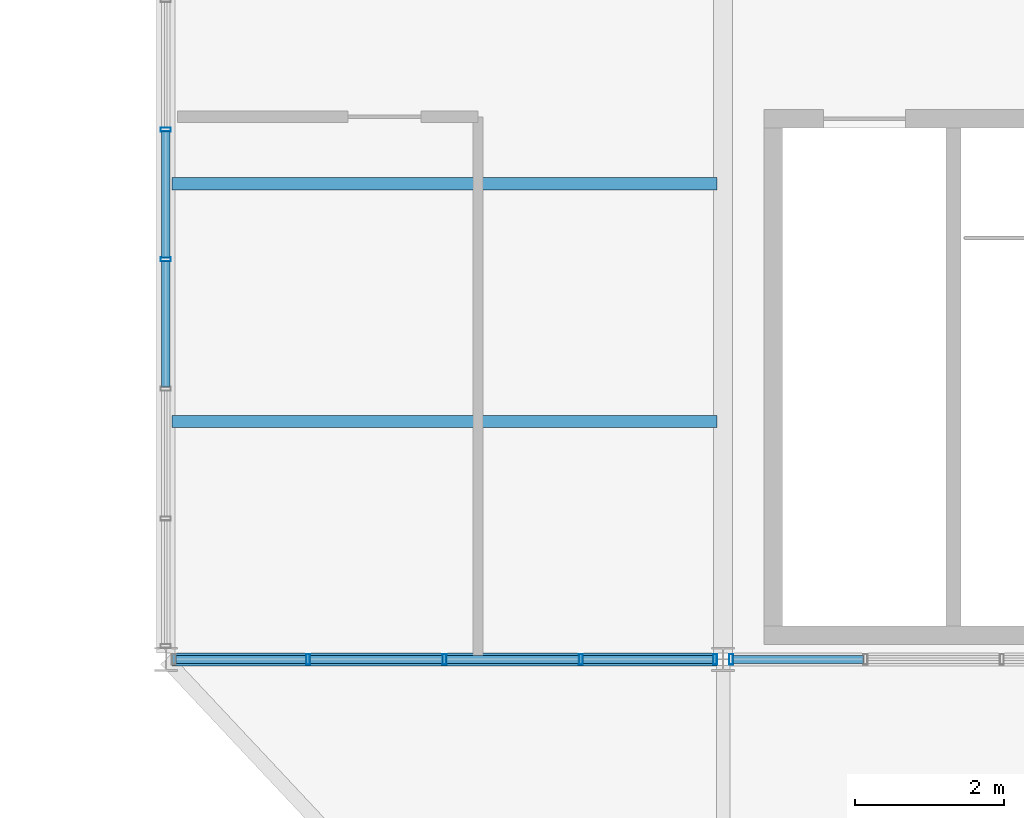
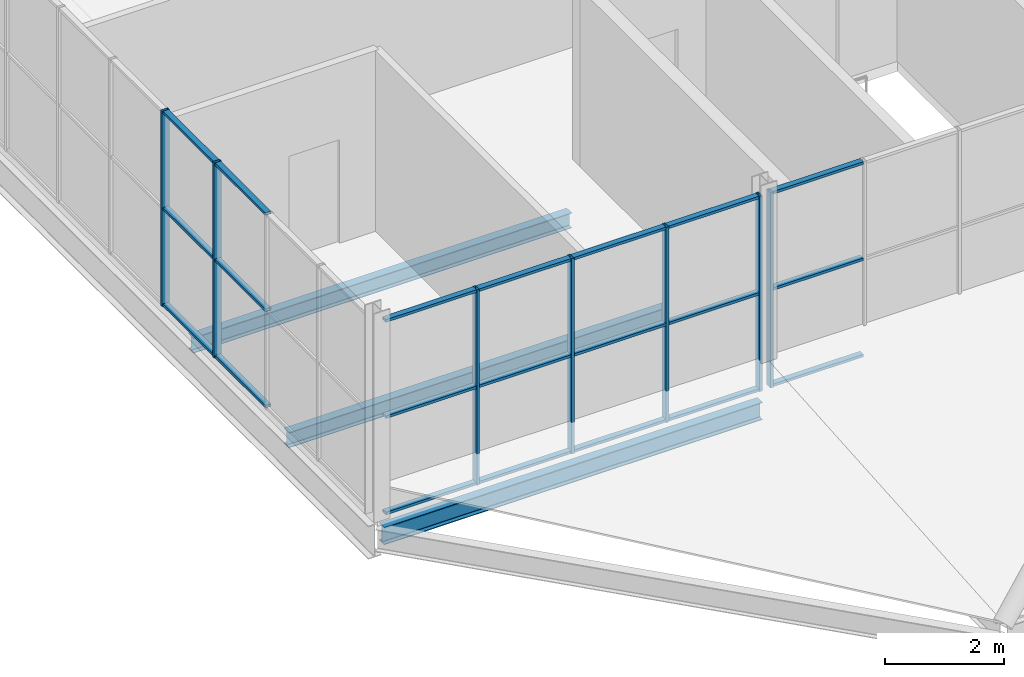
# One storey, part 171 of 324: 28 members, 3 beams, 3 elements without a shape of their own.
"""IFC4 building model written with IfcOpenShell, lengths in metres."""

from ifc_helpers import new_model, si_unit, direction, frame, origin, origin_2d, place, context, subcontext, project, spatial, hollow_rectangle, i_section, extrude, material, layer, layer_set, material_profile, profile_set, type_object, element, aggregate, save


model = new_model("IFC4")

# Units and contexts
model_context = context("Model", 3, precision=1e-05, world=origin(), true_north=direction((0.0, 1.0)))
body_context = subcontext(model_context, "Body", "Model", "MODEL_VIEW")
ifc_project = project(units=[si_unit("LENGTHUNIT", "METRE"), si_unit("AREAUNIT", "SQUARE_METRE"), si_unit("VOLUMEUNIT", "CUBIC_METRE"), si_unit("PLANEANGLEUNIT", "RADIAN"), si_unit("MASSUNIT", "GRAM", prefix="KILO")], contexts=[model_context])

# Site, building, storey
site_placement = place(None, origin())
site = spatial("IfcSite", under=ifc_project, at=site_placement, CompositionType="ELEMENT")
building_placement = place(site_placement, origin())
building = spatial("IfcBuilding", under=site, at=building_placement, Name="Solvenia Promenade Tram Depot", CompositionType="ELEMENT")
storey_placement = place(building_placement, frame((0.0, 0.0, 4.5)))
storey = spatial("IfcBuildingStorey", under=building, at=storey_placement, Name="L01", CompositionType="ELEMENT", Elevation=4.5)

# Curtain wall, members
ifc_material_1 = material(Name="Anodized aluminium AW-6063 T6", Category="aluminium")
ifc_layer = layer(ifc_material_1, 0.179931640625, Name="Anodized aluminium AW-6063 T6", Category="aluminium")
ifc_layer_set = layer_set([ifc_layer], Name="Anodized aluminium AW-6063 T6")
curtain_wall_type = type_object("IfcCurtainWallType", Name="CW-Prom-1800", PredefinedType="NOTDEFINED", material=ifc_layer_set)
curtain_wall_1_placement = place(storey_placement, origin())
curtain_wall_1 = element("IfcCurtainWall", 1, at=curtain_wall_1_placement, inside=storey, type_object=curtain_wall_type, Name="Curtain Wall CW-V5S-L1-01", PredefinedType="NOTDEFINED")
ifc_material_profile_1 = material_profile(ifc_material_1, hollow_rectangle(XDim=0.139892578125, YDim=0.054931640625, WallThickness=0.00390625, at=origin_2d()), Name="ALU-M4", Category="aluminium")
ifc_profile_set_1 = profile_set([ifc_material_profile_1], Name="Anodized aluminium AW-6063 T6")
member_type_1 = type_object("IfcMemberType", Name="CWM-Mullion-4", PredefinedType="MULLION", material=ifc_profile_set_1)
member_1_placement = place(storey_placement, frame((136.9150390625, 8.0, 0.0), z_axis=(0.0, 0.0, 1.0), x_axis=(0.0, 1.0, 0.0)))
member_1 = element("IfcMember", 2, at=member_1_placement, type_object=member_type_1, Name="CW-9 mullion 2", PredefinedType="MULLION", context=body_context, shape_type="SweptSolid", body=[
    extrude(hollow_rectangle(XDim=0.139892578125, YDim=0.054931640625, WallThickness=0.00390625, at=origin_2d()), origin(), (0.0, 0.0, 1.0), 4.0),
])
member_2_placement = place(storey_placement, frame((138.75, 8.0, 0.0), z_axis=(0.0, 0.0, 1.0), x_axis=(0.0, 1.0, 0.0)))
member_2 = element("IfcMember", 3, at=member_2_placement, type_object=member_type_1, Name="CW-9 mullion 3", PredefinedType="MULLION", context=body_context, shape_type="SweptSolid", body=[
    extrude(hollow_rectangle(XDim=0.139892578125, YDim=0.054931640625, WallThickness=0.00390625, at=origin_2d()), origin(), (0.0, 0.0, 1.0), 4.0),
])
member_3_placement = place(storey_placement, frame((140.5849609375, 8.0, 0.0), z_axis=(0.0, 0.0, 1.0), x_axis=(0.0, 1.0, 0.0)))
member_3 = element("IfcMember", 4, at=member_3_placement, type_object=member_type_1, Name="CW-9 mullion 4", PredefinedType="MULLION", context=body_context, shape_type="SweptSolid", body=[
    extrude(hollow_rectangle(XDim=0.139892578125, YDim=0.054931640625, WallThickness=0.00390625, at=origin_2d()), origin(), (0.0, 0.0, 1.0), 4.0),
])
member_4_placement = place(storey_placement, frame((142.392578125, 8.0, 0.0), z_axis=(0.0, 0.0, 1.0), x_axis=(0.0, 1.0, 0.0)))
member_4 = element("IfcMember", 5, at=member_4_placement, type_object=member_type_1, Name="CW-9 mullion 5", PredefinedType="MULLION", context=body_context, shape_type="SweptSolid", body=[
    extrude(hollow_rectangle(XDim=0.139892578125, YDim=0.054931640625, WallThickness=0.00390625, at=origin_2d()), origin(), (0.0, 0.0, 1.0), 4.0),
])

# Curtain wall, member
curtain_wall_2_placement = place(storey_placement, origin())
curtain_wall_2 = element("IfcCurtainWall", 6, at=curtain_wall_2_placement, inside=storey, type_object=curtain_wall_type, Name="Curtain Wall CW-V5S-L1-02", PredefinedType="NOTDEFINED")
member_5_placement = place(storey_placement, frame((142.607421875, 8.0, 0.0), z_axis=(0.0, 0.0, 1.0), x_axis=(0.0, 1.0, 0.0)))
member_5 = element("IfcMember", 7, at=member_5_placement, type_object=member_type_1, Name="CW-9 mullion 1", PredefinedType="MULLION", context=body_context, shape_type="SweptSolid", body=[
    extrude(hollow_rectangle(XDim=0.139892578125, YDim=0.054931640625, WallThickness=0.00390625, at=origin_2d()), origin(), (0.0, 0.0, 1.0), 4.0),
])

# Curtain wall, members
curtain_wall_3_placement = place(storey_placement, origin())
curtain_wall_3 = element("IfcCurtainWall", 8, at=curtain_wall_3_placement, inside=storey, type_object=curtain_wall_type, Name="Curtain Wall CW-V5W-L01", PredefinedType="NOTDEFINED")
member_6_placement = place(storey_placement, frame((135.0, 13.38330078125, 0.0), z_axis=(0.0, 0.0, 1.0), x_axis=(-1.0, 0.0, 0.0)))
member_6 = element("IfcMember", 9, at=member_6_placement, type_object=member_type_1, Name="CW-9 mullion 4", PredefinedType="MULLION", context=body_context, shape_type="SweptSolid", body=[
    extrude(hollow_rectangle(XDim=0.139892578125, YDim=0.054931640625, WallThickness=0.00390625, at=origin_2d()), origin(), (0.0, 0.0, 1.0), 4.0),
])
member_7_placement = place(storey_placement, frame((135.0, 15.127685546875, 0.0), z_axis=(0.0, 0.0, 1.0), x_axis=(-1.0, 0.0, 0.0)))
member_7 = element("IfcMember", 10, at=member_7_placement, type_object=member_type_1, Name="CW-9 mullion 5", PredefinedType="MULLION", context=body_context, shape_type="SweptSolid", body=[
    extrude(hollow_rectangle(XDim=0.139892578125, YDim=0.054931640625, WallThickness=0.00390625, at=origin_2d()), origin(), (0.0, 0.0, 1.0), 4.0),
])

# Member
ifc_material_profile_2 = material_profile(ifc_material_1, hollow_rectangle(XDim=0.110107421875, YDim=0.054931640625, WallThickness=0.00390625, at=origin_2d()), Name="ALU-T4", Category="aluminium")
ifc_profile_set_2 = profile_set([ifc_material_profile_2], Name="Anodized aluminium AW-6063 T6")
member_type_2 = type_object("IfcMemberType", Name="CWT-Transom-4", PredefinedType="USERDEFINED", material=ifc_profile_set_2)
member_8_placement = place(storey_placement, frame((135.135009765625, 8.0, 0.027587890625), z_axis=(1.0, 0.0, 0.0), x_axis=(0.0, 1.0, 0.0)))
member_8 = element("IfcMember", 11, at=member_8_placement, type_object=member_type_2, Name="CW-9 transom 1.1", ObjectType="TRANSOM", PredefinedType="USERDEFINED", context=body_context, shape_type="SweptSolid", body=[
    extrude(hollow_rectangle(XDim=0.110107421875, YDim=0.054931640625, WallThickness=0.00390625, at=origin_2d()), origin(), (0.0, 0.0, 1.0), 1.75244140625),
])

member_9_placement = place(storey_placement, frame((135.135009765625, 8.0, 2.0), z_axis=(1.0, 0.0, 0.0), x_axis=(0.0, 1.0, 0.0)))
member_9 = element("IfcMember", 12, at=member_9_placement, type_object=member_type_2, Name="CW-9 transom 1.2", ObjectType="TRANSOM", PredefinedType="USERDEFINED", context=body_context, shape_type="SweptSolid", body=[
    extrude(hollow_rectangle(XDim=0.110107421875, YDim=0.054931640625, WallThickness=0.00390625, at=origin_2d()), origin(), (0.0, 0.0, 1.0), 1.75244140625),
])

member_10_placement = place(storey_placement, frame((135.135009765625, 8.0, 3.972412109375), z_axis=(1.0, 0.0, 0.0), x_axis=(0.0, 1.0, 0.0)))
member_10 = element("IfcMember", 13, at=member_10_placement, type_object=member_type_2, Name="CW-9 transom 1.3", ObjectType="TRANSOM", PredefinedType="USERDEFINED", context=body_context, shape_type="SweptSolid", body=[
    extrude(hollow_rectangle(XDim=0.110107421875, YDim=0.054931640625, WallThickness=0.00390625, at=origin_2d()), origin(), (0.0, 0.0, 1.0), 1.75244140625),
])

member_11_placement = place(storey_placement, frame((136.9423828125, 8.0, 0.027587890625), z_axis=(1.0, 0.0, 0.0), x_axis=(0.0, 1.0, 0.0)))
member_11 = element("IfcMember", 14, at=member_11_placement, type_object=member_type_2, Name="CW-9 transom 2.1", ObjectType="TRANSOM", PredefinedType="USERDEFINED", context=body_context, shape_type="SweptSolid", body=[
    extrude(hollow_rectangle(XDim=0.110107421875, YDim=0.054931640625, WallThickness=0.00390625, at=origin_2d()), origin(), (0.0, 0.0, 1.0), 1.780029296875),
])

member_12_placement = place(storey_placement, frame((136.9423828125, 8.0, 2.0), z_axis=(1.0, 0.0, 0.0), x_axis=(0.0, 1.0, 0.0)))
member_12 = element("IfcMember", 15, at=member_12_placement, type_object=member_type_2, Name="CW-9 transom 2.2", ObjectType="TRANSOM", PredefinedType="USERDEFINED", context=body_context, shape_type="SweptSolid", body=[
    extrude(hollow_rectangle(XDim=0.110107421875, YDim=0.054931640625, WallThickness=0.00390625, at=origin_2d()), origin(), (0.0, 0.0, 1.0), 1.780029296875),
])

member_13_placement = place(storey_placement, frame((136.9423828125, 8.0, 3.972412109375), z_axis=(1.0, 0.0, 0.0), x_axis=(0.0, 1.0, 0.0)))
member_13 = element("IfcMember", 16, at=member_13_placement, type_object=member_type_2, Name="CW-9 transom 2.3", ObjectType="TRANSOM", PredefinedType="USERDEFINED", context=body_context, shape_type="SweptSolid", body=[
    extrude(hollow_rectangle(XDim=0.110107421875, YDim=0.054931640625, WallThickness=0.00390625, at=origin_2d()), origin(), (0.0, 0.0, 1.0), 1.780029296875),
])

member_14_placement = place(storey_placement, frame((138.777587890625, 8.0, 0.027587890625), z_axis=(1.0, 0.0, 0.0), x_axis=(0.0, 1.0, 0.0)))
member_14 = element("IfcMember", 17, at=member_14_placement, type_object=member_type_2, Name="CW-9 transom 3.1", ObjectType="TRANSOM", PredefinedType="USERDEFINED", context=body_context, shape_type="SweptSolid", body=[
    extrude(hollow_rectangle(XDim=0.110107421875, YDim=0.054931640625, WallThickness=0.00390625, at=origin_2d()), origin(), (0.0, 0.0, 1.0), 1.780029296875),
])

member_15_placement = place(storey_placement, frame((138.777587890625, 8.0, 2.0), z_axis=(1.0, 0.0, 0.0), x_axis=(0.0, 1.0, 0.0)))
member_15 = element("IfcMember", 18, at=member_15_placement, type_object=member_type_2, Name="CW-9 transom 3.2", ObjectType="TRANSOM", PredefinedType="USERDEFINED", context=body_context, shape_type="SweptSolid", body=[
    extrude(hollow_rectangle(XDim=0.110107421875, YDim=0.054931640625, WallThickness=0.00390625, at=origin_2d()), origin(), (0.0, 0.0, 1.0), 1.780029296875),
])

member_16_placement = place(storey_placement, frame((138.777587890625, 8.0, 3.972412109375), z_axis=(1.0, 0.0, 0.0), x_axis=(0.0, 1.0, 0.0)))
member_16 = element("IfcMember", 19, at=member_16_placement, type_object=member_type_2, Name="CW-9 transom 3.3", ObjectType="TRANSOM", PredefinedType="USERDEFINED", context=body_context, shape_type="SweptSolid", body=[
    extrude(hollow_rectangle(XDim=0.110107421875, YDim=0.054931640625, WallThickness=0.00390625, at=origin_2d()), origin(), (0.0, 0.0, 1.0), 1.780029296875),
])

member_17_placement = place(storey_placement, frame((140.612548828125, 8.0, 0.027587890625), z_axis=(1.0, 0.0, 0.0), x_axis=(0.0, 1.0, 0.0)))
member_17 = element("IfcMember", 20, at=member_17_placement, type_object=member_type_2, Name="CW-9 transom 4.1", ObjectType="TRANSOM", PredefinedType="USERDEFINED", context=body_context, shape_type="SweptSolid", body=[
    extrude(hollow_rectangle(XDim=0.110107421875, YDim=0.054931640625, WallThickness=0.00390625, at=origin_2d()), origin(), (0.0, 0.0, 1.0), 1.75244140625),
])

member_18_placement = place(storey_placement, frame((140.612548828125, 8.0, 2.0), z_axis=(1.0, 0.0, 0.0), x_axis=(0.0, 1.0, 0.0)))
member_18 = element("IfcMember", 21, at=member_18_placement, type_object=member_type_2, Name="CW-9 transom 4.2", ObjectType="TRANSOM", PredefinedType="USERDEFINED", context=body_context, shape_type="SweptSolid", body=[
    extrude(hollow_rectangle(XDim=0.110107421875, YDim=0.054931640625, WallThickness=0.00390625, at=origin_2d()), origin(), (0.0, 0.0, 1.0), 1.75244140625),
])

member_19_placement = place(storey_placement, frame((140.612548828125, 8.0, 3.972412109375), z_axis=(1.0, 0.0, 0.0), x_axis=(0.0, 1.0, 0.0)))
member_19 = element("IfcMember", 22, at=member_19_placement, type_object=member_type_2, Name="CW-9 transom 4.3", ObjectType="TRANSOM", PredefinedType="USERDEFINED", context=body_context, shape_type="SweptSolid", body=[
    extrude(hollow_rectangle(XDim=0.110107421875, YDim=0.054931640625, WallThickness=0.00390625, at=origin_2d()), origin(), (0.0, 0.0, 1.0), 1.75244140625),
])

aggregate(curtain_wall_1, [member_1, member_2, member_3, member_4, member_8, member_9, member_10, member_11, member_12, member_13, member_14, member_15, member_16, member_17, member_18, member_19])

member_20_placement = place(storey_placement, frame((142.635009765625, 8.0, 0.027587890625), z_axis=(1.0, 0.0, 0.0), x_axis=(0.0, 1.0, 0.0)))
member_20 = element("IfcMember", 23, at=member_20_placement, type_object=member_type_2, Name="CW-9 transom 1.1", ObjectType="TRANSOM", PredefinedType="USERDEFINED", context=body_context, shape_type="SweptSolid", body=[
    extrude(hollow_rectangle(XDim=0.110107421875, YDim=0.054931640625, WallThickness=0.00390625, at=origin_2d()), origin(), (0.0, 0.0, 1.0), 1.75244140625),
])

member_21_placement = place(storey_placement, frame((142.635009765625, 8.0, 2.0), z_axis=(1.0, 0.0, 0.0), x_axis=(0.0, 1.0, 0.0)))
member_21 = element("IfcMember", 24, at=member_21_placement, type_object=member_type_2, Name="CW-9 transom 1.2", ObjectType="TRANSOM", PredefinedType="USERDEFINED", context=body_context, shape_type="SweptSolid", body=[
    extrude(hollow_rectangle(XDim=0.110107421875, YDim=0.054931640625, WallThickness=0.00390625, at=origin_2d()), origin(), (0.0, 0.0, 1.0), 1.75244140625),
])

member_22_placement = place(storey_placement, frame((142.635009765625, 8.0, 3.972412109375), z_axis=(1.0, 0.0, 0.0), x_axis=(0.0, 1.0, 0.0)))
member_22 = element("IfcMember", 25, at=member_22_placement, type_object=member_type_2, Name="CW-9 transom 1.3", ObjectType="TRANSOM", PredefinedType="USERDEFINED", context=body_context, shape_type="SweptSolid", body=[
    extrude(hollow_rectangle(XDim=0.110107421875, YDim=0.054931640625, WallThickness=0.00390625, at=origin_2d()), origin(), (0.0, 0.0, 1.0), 1.75244140625),
])

aggregate(curtain_wall_2, [member_5, member_20, member_21, member_22])

member_23_placement = place(storey_placement, frame((135.0, 11.66650390625, 0.027587890625), z_axis=(0.0, 1.0, 0.0), x_axis=(-1.0, 0.0, 0.0)))
member_23 = element("IfcMember", 26, at=member_23_placement, type_object=member_type_2, Name="CW-9 transom 3.1", ObjectType="TRANSOM", PredefinedType="USERDEFINED", context=body_context, shape_type="SweptSolid", body=[
    extrude(hollow_rectangle(XDim=0.110107421875, YDim=0.054931640625, WallThickness=0.00390625, at=origin_2d()), origin(), (0.0, 0.0, 1.0), 1.689208984375),
])

member_24_placement = place(storey_placement, frame((135.0, 11.66650390625, 2.0), z_axis=(0.0, 1.0, 0.0), x_axis=(-1.0, 0.0, 0.0)))
member_24 = element("IfcMember", 27, at=member_24_placement, type_object=member_type_2, Name="CW-9 transom 3.2", ObjectType="TRANSOM", PredefinedType="USERDEFINED", context=body_context, shape_type="SweptSolid", body=[
    extrude(hollow_rectangle(XDim=0.110107421875, YDim=0.054931640625, WallThickness=0.00390625, at=origin_2d()), origin(), (0.0, 0.0, 1.0), 1.689208984375),
])

member_25_placement = place(storey_placement, frame((135.0, 11.66650390625, 3.972412109375), z_axis=(0.0, 1.0, 0.0), x_axis=(-1.0, 0.0, 0.0)))
member_25 = element("IfcMember", 28, at=member_25_placement, type_object=member_type_2, Name="CW-9 transom 3.3", ObjectType="TRANSOM", PredefinedType="USERDEFINED", context=body_context, shape_type="SweptSolid", body=[
    extrude(hollow_rectangle(XDim=0.110107421875, YDim=0.054931640625, WallThickness=0.00390625, at=origin_2d()), origin(), (0.0, 0.0, 1.0), 1.689208984375),
])

member_26_placement = place(storey_placement, frame((135.0, 13.410888671875, 0.027587890625), z_axis=(0.0, 1.0, 0.0), x_axis=(-1.0, 0.0, 0.0)))
member_26 = element("IfcMember", 29, at=member_26_placement, type_object=member_type_2, Name="CW-9 transom 4.1", ObjectType="TRANSOM", PredefinedType="USERDEFINED", context=body_context, shape_type="SweptSolid", body=[
    extrude(hollow_rectangle(XDim=0.110107421875, YDim=0.054931640625, WallThickness=0.00390625, at=origin_2d()), origin(), (0.0, 0.0, 1.0), 1.689453125),
])

member_27_placement = place(storey_placement, frame((135.0, 13.410888671875, 2.0), z_axis=(0.0, 1.0, 0.0), x_axis=(-1.0, 0.0, 0.0)))
member_27 = element("IfcMember", 30, at=member_27_placement, type_object=member_type_2, Name="CW-9 transom 4.2", ObjectType="TRANSOM", PredefinedType="USERDEFINED", context=body_context, shape_type="SweptSolid", body=[
    extrude(hollow_rectangle(XDim=0.110107421875, YDim=0.054931640625, WallThickness=0.00390625, at=origin_2d()), origin(), (0.0, 0.0, 1.0), 1.689453125),
])

member_28_placement = place(storey_placement, frame((135.0, 13.410888671875, 3.972412109375), z_axis=(0.0, 1.0, 0.0), x_axis=(-1.0, 0.0, 0.0)))
member_28 = element("IfcMember", 31, at=member_28_placement, type_object=member_type_2, Name="CW-9 transom 4.3", ObjectType="TRANSOM", PredefinedType="USERDEFINED", context=body_context, shape_type="SweptSolid", body=[
    extrude(hollow_rectangle(XDim=0.110107421875, YDim=0.054931640625, WallThickness=0.00390625, at=origin_2d()), origin(), (0.0, 0.0, 1.0), 1.689453125),
])

aggregate(curtain_wall_3, [member_6, member_7, member_23, member_24, member_25, member_26, member_27, member_28])

# Beams
ifc_material_2 = material(Name="Structural steel ASTM A992 Gr. 50", Category="steel")
ifc_material_profile_3 = material_profile(ifc_material_2, i_section(OverallWidth=0.166015625, OverallDepth=0.31298828125, WebThickness=0.006591796875, FlangeThickness=0.01123046875, FilletRadius=0.010009765625, at=origin_2d()), Name="W310x45", Category="steel")
ifc_profile_set_3 = profile_set([ifc_material_profile_3], Name="Structural steel ASTM A992 Gr. 50")
beam_type_1 = type_object("IfcBeamType", Name="Joist-W310x45", PredefinedType="JOIST", material=ifc_profile_set_3)
for number, where, z_axis, x_axis, name in (
    (32, (135.0849609375, 11.199951171875, -0.37646484375), (1.0, 0.0, 0.0), (0.0, 1.0, 0.0), "Secondary Floor Joist BM-L01-0430"),
    (33, (135.0849609375, 14.39990234375, -0.37646484375), (1.0, 0.0, 0.0), (0.0, 1.0, 0.0), "Secondary Floor Joist BM-L01-0431"),
):
    element("IfcBeam", number, at=place(storey_placement, frame(where, z_axis=z_axis, x_axis=x_axis)), inside=storey, type_object=beam_type_1, Name=name, PredefinedType="JOIST", context=body_context, shape_type="SweptSolid", body=[
        extrude(i_section(OverallWidth=0.166015625, OverallDepth=0.31298828125, WebThickness=0.006591796875, FlangeThickness=0.01123046875, FilletRadius=0.010009765625, at=origin_2d()), origin(), (0.0, 0.0, 1.0), 7.330078125),
    ])
ifc_material_profile_4 = material_profile(ifc_material_2, i_section(OverallWidth=0.172119140625, OverallDepth=0.35791015625, WebThickness=0.0078125, FlangeThickness=0.01318359375, FilletRadius=0.010986328125, at=origin_2d()), Name="W360x57", Category="steel")
ifc_profile_set_4 = profile_set([ifc_material_profile_4], Name="Structural steel ASTM A992 Gr. 50")
beam_type_2 = type_object("IfcBeamType", Name="Spandrel-W360x57", PredefinedType="SPANDREL", material=ifc_profile_set_4)
beam_placement = place(storey_placement, frame((135.0849609375, 8.0, -0.39892578125), z_axis=(1.0, 0.0, 0.0), x_axis=(0.0, 1.0, 0.0)))
element("IfcBeam", 34, at=beam_placement, inside=storey, type_object=beam_type_2, Name="Perimeter Spandrel BM-L01-0414", PredefinedType="SPANDREL", context=body_context, shape_type="SweptSolid", body=[
    extrude(i_section(OverallWidth=0.172119140625, OverallDepth=0.35791015625, WebThickness=0.0078125, FlangeThickness=0.01318359375, FilletRadius=0.010986328125, at=origin_2d()), origin(), (0.0, 0.0, 1.0), 7.330078125),
])

save(model, "model.ifc")
